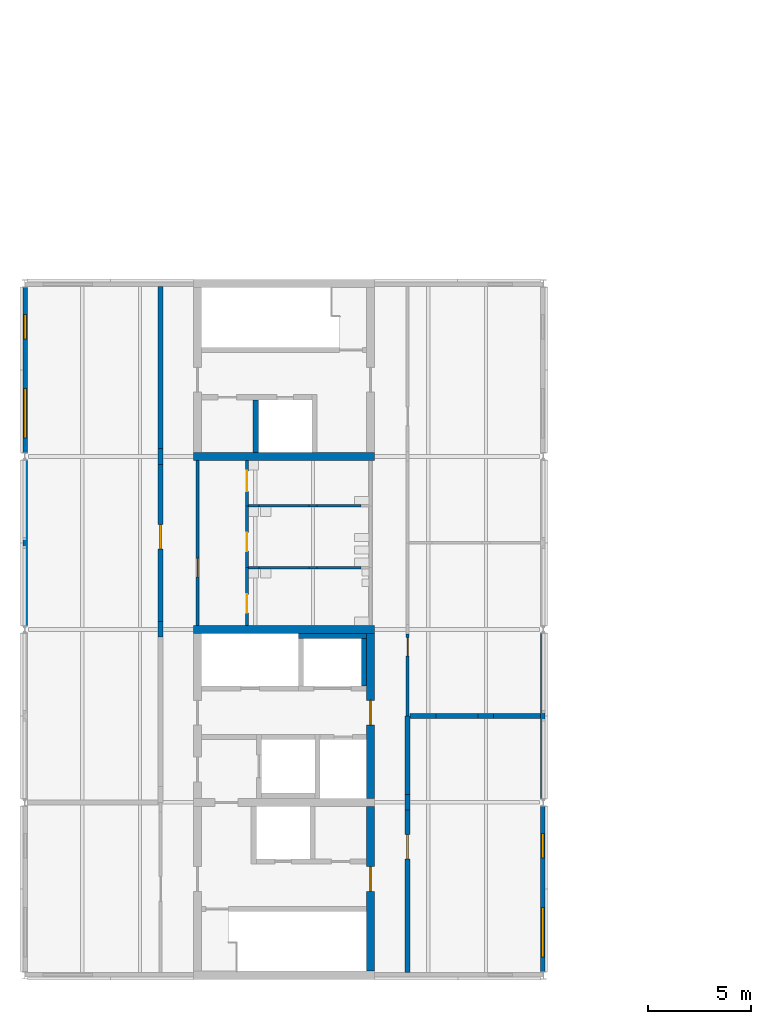
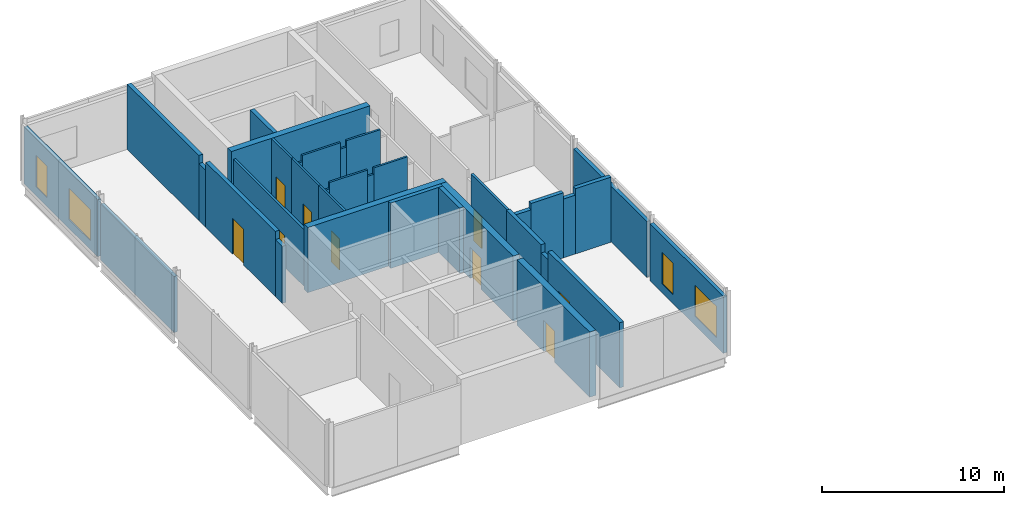
# One storey, part 14 of 26: 35 walls, 9 doors, 4 windows, 13 openings.
"""IFC4 building model written with IfcOpenShell, lengths in metres."""

from ifc_helpers import new_model, si_unit, direction, frame, frame_2d, origin, place, context, subcontext, project, spatial, rectangle, extrude, material, layer, layer_set, type_object, element, fill, save


model = new_model("IFC4")

# Units and contexts
model_context = context("Model", 3, precision=1e-05, world=origin(), true_north=direction((0.0, 1.0)))
body_context = subcontext(model_context, "Body", "Model", "MODEL_VIEW")
ifc_project = project(units=[si_unit("LENGTHUNIT", "METRE"), si_unit("AREAUNIT", "SQUARE_METRE"), si_unit("VOLUMEUNIT", "CUBIC_METRE"), si_unit("PLANEANGLEUNIT", "RADIAN"), si_unit("MASSUNIT", "GRAM", prefix="KILO")], contexts=[model_context])

# Site, building, storey
site_placement = place(None, origin())
site = spatial("IfcSite", under=ifc_project, at=site_placement, CompositionType="ELEMENT")
building_placement = place(site_placement, origin())
building = spatial("IfcBuilding", under=site, at=building_placement, Name="Hlaing Beacon Police Headquarters", CompositionType="ELEMENT")
storey_placement = place(building_placement, frame((0.0, 0.0, 23.39990234375)))
storey = spatial("IfcBuildingStorey", under=building, at=storey_placement, Name="L05", CompositionType="ELEMENT", Elevation=23.39990234375)

# Wall
ifc_material_1 = material(Name="Concrete C60/75", Category="concrete")
ifc_layer_1 = layer(ifc_material_1, 0.39990234375)
ifc_layer_set_1 = layer_set([ifc_layer_1], Name="Concrete C60/75")
wall_type_1 = type_object("IfcWallType", Name="Core shear wall 400", PredefinedType="SHEAR", material=ifc_layer_set_1)
wall_1_placement = place(storey_placement, frame((16.60009765625, 50.39990234375, 0.0), z_axis=(0.0, 0.0, 1.0), x_axis=(1.0, 0.0, 0.0)))
element("IfcWall", 1, at=wall_1_placement, inside=storey, type_object=wall_type_1, Name="Core shear wall", PredefinedType="SHEAR", context=body_context, shape_type="SweptSolid", body=[
    extrude(rectangle(XDim=8.7998046875, YDim=0.39990234375, at=frame_2d((4.39990234375, 0.0))), origin(), (0.0, 0.0, 1.0), 4.3701171875),
])

# Wall, opening, door
wall_2_placement = place(storey_placement, frame((25.199951171875, 42.199951171875, 0.0), z_axis=(0.0, 0.0, 1.0), x_axis=(0.0, 1.0, 0.0)))
wall_2 = element("IfcWall", 2, at=wall_2_placement, inside=storey, type_object=wall_type_1, Name="Core shear wall", PredefinedType="SHEAR", context=body_context, shape_type="SweptSolid", body=[
    extrude(rectangle(XDim=8.0, YDim=0.39990234375, at=frame_2d((4.0, 0.0))), origin(), (0.0, 0.0, 1.0), 4.3701171875),
])
opening_1_placement = place(wall_2_placement, frame((3.550048828125, 0.0, 0.0)))
opening_1 = element("IfcOpeningElement", 3, at=opening_1_placement, cuts=wall_2, Name="Opening L05-917", PredefinedType="OPENING", context=body_context, shape_type="SweptSolid", body=[
    extrude(rectangle(XDim=1.199951171875, YDim=2.10009765625, at=frame_2d((0.60009765625, 1.050048828125))), frame((0.0, 0.2099609375, 0.0), z_axis=(0.0, -1.0, 0.0), x_axis=(1.0, 0.0, 0.0)), (0.0, 0.0, 1.0), 0.419921875),
])
ifc_material_2 = material(Name="Steel fire door leaf", Category="steel")
ifc_layer_2 = layer(ifc_material_2, 0.070068359375)
ifc_layer_set_2 = layer_set([ifc_layer_2], Name="Steel fire door leaf")
door_type_1 = type_object("IfcDoorType", Name="Steel fire door FD60S 1200x2100", OperationType="SINGLE_SWING_LEFT", PredefinedType="DOOR", material=ifc_layer_set_2)
door_1_placement = place(opening_1_placement, origin())
door_1 = element("IfcDoor", 4, at=door_1_placement, inside=storey, type_object=door_type_1, Name="Door Lift Lobby Entry", OperationType="SINGLE_SWING_LEFT", OverallHeight=2.10009765625, OverallWidth=1.199951171875, PredefinedType="DOOR", context=body_context, shape_type="SweptSolid", body=[
    extrude(rectangle(XDim=1.199951171875, YDim=2.10009765625, at=frame_2d((0.60009765625, 1.050048828125))), frame((0.0, 0.03515625, 0.0), z_axis=(0.0, -1.0, 0.0), x_axis=(1.0, 0.0, 0.0)), (0.0, 0.0, 1.0), 0.070068359375),
])
fill(opening_1, door_1)

# Wall
wall_3_placement = place(storey_placement, frame((16.60009765625, 58.800048828125, 0.0), z_axis=(0.0, 0.0, 1.0), x_axis=(1.0, 0.0, 0.0)))
element("IfcWall", 5, at=wall_3_placement, inside=storey, type_object=wall_type_1, Name="Core shear wall", PredefinedType="SHEAR", context=body_context, shape_type="SweptSolid", body=[
    extrude(rectangle(XDim=8.7998046875, YDim=0.39990234375, at=frame_2d((4.39990234375, 0.0))), origin(), (0.0, 0.0, 1.0), 4.3701171875),
])

# Wall, opening, door
wall_4_placement = place(storey_placement, frame((25.199951171875, 33.800048828125, 0.0), z_axis=(0.0, 0.0, 1.0), x_axis=(0.0, 1.0, 0.0)))
wall_4 = element("IfcWall", 6, at=wall_4_placement, inside=storey, type_object=wall_type_1, Name="Core shear wall", PredefinedType="SHEAR", context=body_context, shape_type="SweptSolid", body=[
    extrude(rectangle(XDim=8.0, YDim=0.39990234375, at=frame_2d((4.0, 0.0))), origin(), (0.0, 0.0, 1.0), 4.3701171875),
])
opening_2_placement = place(wall_4_placement, frame((3.875, 0.0, 0.0)))
opening_2 = element("IfcOpeningElement", 7, at=opening_2_placement, cuts=wall_4, Name="Opening L05-929", PredefinedType="OPENING", context=body_context, shape_type="SweptSolid", body=[
    extrude(rectangle(XDim=1.199951171875, YDim=2.10009765625, at=frame_2d((0.60009765625, 1.050048828125))), frame((0.0, 0.2099609375, 0.0), z_axis=(0.0, -1.0, 0.0), x_axis=(1.0, 0.0, 0.0)), (0.0, 0.0, 1.0), 0.419921875),
])
door_2_placement = place(opening_2_placement, origin())
door_2 = element("IfcDoor", 8, at=door_2_placement, inside=storey, type_object=door_type_1, Name="Door Stair Lobby ST-N Entry", OperationType="SINGLE_SWING_LEFT", OverallHeight=2.10009765625, OverallWidth=1.199951171875, PredefinedType="DOOR", context=body_context, shape_type="SweptSolid", body=[
    extrude(rectangle(XDim=1.199951171875, YDim=2.10009765625, at=frame_2d((0.60009765625, 1.050048828125))), frame((0.0, 0.03515625, 0.0), z_axis=(0.0, -1.0, 0.0), x_axis=(1.0, 0.0, 0.0)), (0.0, 0.0, 1.0), 0.070068359375),
])
fill(opening_2, door_2)

ifc_material_3 = material(Name="Gypsum board partition")
ifc_layer_3 = layer(ifc_material_3, 0.14990234375)
ifc_layer_set_3 = layer_set([ifc_layer_3], Name="Gypsum board partition")
wall_type_2 = type_object("IfcWallType", Name="Corridor wall EI 30 150", PredefinedType="PARTITIONING", material=ifc_layer_set_3)
wall_5_placement = place(storey_placement, frame((27.0, 46.199951171875, 0.0), z_axis=(0.0, 0.0, 1.0), x_axis=(0.0, 1.0, 0.0)))
wall_5 = element("IfcWall", 9, at=wall_5_placement, inside=storey, type_object=wall_type_2, Name="Corridor wall EI 30 150", PredefinedType="PARTITIONING", context=body_context, shape_type="SweptSolid", body=[
    extrude(rectangle(XDim=3.969970703125, YDim=0.14990234375, at=frame_2d((1.98486328125, 0.0))), origin(), (0.0, 0.0, 1.0), 4.3701171875),
])
opening_3_placement = place(wall_5_placement, frame((2.89990234375, 0.0, 0.0)))
opening_3 = element("IfcOpeningElement", 10, at=opening_3_placement, cuts=wall_5, Name="Opening L05-011", PredefinedType="OPENING", context=body_context, shape_type="SweptSolid", body=[
    extrude(rectangle(XDim=0.89990234375, YDim=2.10009765625, at=frame_2d((0.449951171875, 1.050048828125))), frame((0.0, 0.0849609375, 0.0), z_axis=(0.0, -1.0, 0.0), x_axis=(1.0, 0.0, 0.0)), (0.0, 0.0, 1.0), 0.169921875),
])
ifc_material_4 = material(Name="Hardwood door leaf", Category="wood")
ifc_layer_4 = layer(ifc_material_4, 0.050048828125)
ifc_layer_set_4 = layer_set([ifc_layer_4], Name="Hardwood door leaf")
door_type_2 = type_object("IfcDoorType", Name="Fire door FD30S 900x2100", OperationType="SINGLE_SWING_LEFT", PredefinedType="DOOR", material=ifc_layer_set_4)
door_3_placement = place(opening_3_placement, frame((0.89990234375, 0.0, 0.0), z_axis=(0.0, 0.0, 1.0), x_axis=(-1.0, 0.0, 0.0)))
door_3 = element("IfcDoor", 11, at=door_3_placement, inside=storey, type_object=door_type_2, Name="Door Quality Management Office", OperationType="SINGLE_SWING_LEFT", OverallHeight=2.10009765625, OverallWidth=0.89990234375, PredefinedType="DOOR", context=body_context, shape_type="SweptSolid", body=[
    extrude(rectangle(XDim=0.89990234375, YDim=2.10009765625, at=frame_2d((0.449951171875, 1.050048828125))), frame((0.0, 0.025146484375, 0.0), z_axis=(0.0, -1.0, 0.0), x_axis=(1.0, 0.0, 0.0)), (0.0, 0.0, 1.0), 0.050048828125),
])
fill(opening_3, door_3)

wall_6_placement = place(storey_placement, frame((16.800048828125, 50.60009765625, 0.0), z_axis=(0.0, 0.0, 1.0), x_axis=(0.0, 1.0, 0.0)))
wall_6 = element("IfcWall", 12, at=wall_6_placement, inside=storey, type_object=wall_type_2, Name="Corridor wall EI 30 150", PredefinedType="PARTITIONING", context=body_context, shape_type="SweptSolid", body=[
    extrude(rectangle(XDim=8.0, YDim=0.14990234375, at=frame_2d((4.0, 0.0))), origin(), (0.0, 0.0, 1.0), 3.817138671875),
])
opening_4_placement = place(wall_6_placement, frame((2.35009765625, 0.0, 0.0)))
opening_4 = element("IfcOpeningElement", 13, at=opening_4_placement, cuts=wall_6, Name="Opening L05-015", PredefinedType="OPENING", context=body_context, shape_type="SweptSolid", body=[
    extrude(rectangle(XDim=0.89990234375, YDim=2.10009765625, at=frame_2d((0.449951171875, 1.050048828125))), frame((0.0, 0.0849609375, 0.0), z_axis=(0.0, -1.0, 0.0), x_axis=(1.0, 0.0, 0.0)), (0.0, 0.0, 1.0), 0.169921875),
])
door_4_placement = place(opening_4_placement, frame((0.89990234375, 0.0, 0.0), z_axis=(0.0, 0.0, 1.0), x_axis=(-1.0, 0.0, 0.0)))
door_4 = element("IfcDoor", 14, at=door_4_placement, inside=storey, type_object=door_type_2, Name="Door WC Lobby", OperationType="SINGLE_SWING_LEFT", OverallHeight=2.10009765625, OverallWidth=0.89990234375, PredefinedType="DOOR", context=body_context, shape_type="SweptSolid", body=[
    extrude(rectangle(XDim=0.89990234375, YDim=2.10009765625, at=frame_2d((0.449951171875, 1.050048828125))), frame((0.0, 0.025146484375, 0.0), z_axis=(0.0, -1.0, 0.0), x_axis=(1.0, 0.0, 0.0)), (0.0, 0.0, 1.0), 0.050048828125),
])
fill(opening_4, door_4)

# Walls
ifc_material_5 = material(Name="Gypsum board partition")
ifc_layer_5 = layer(ifc_material_5, 0.125)
ifc_layer_set_5 = layer_set([ifc_layer_5], Name="Gypsum board partition")
wall_type_3 = type_object("IfcWallType", Name="Partition 125", PredefinedType="PARTITIONING", material=ifc_layer_set_5)
wall_7_placement = place(storey_placement, frame((19.261962890625, 56.39990234375, 0.0), z_axis=(0.0, 0.0, 1.0), x_axis=(1.0, 0.0, 0.0)))
element("IfcWall", 15, at=wall_7_placement, inside=storey, type_object=wall_type_3, Name="Partition 125", PredefinedType="PARTITIONING", context=body_context, shape_type="SweptSolid", body=[
    extrude(rectangle(XDim=0.531005859375, YDim=0.125, at=frame_2d((0.265625, 0.0))), origin(), (0.0, 0.0, 1.0), 3.946044921875),
])
wall_8_placement = place(storey_placement, frame((19.79296875, 56.39990234375, 0.0), z_axis=(0.0, 0.0, 1.0), x_axis=(1.0, 0.0, 0.0)))
element("IfcWall", 16, at=wall_8_placement, inside=storey, type_object=wall_type_3, Name="Partition 125", PredefinedType="PARTITIONING", context=body_context, shape_type="SweptSolid", body=[
    extrude(rectangle(XDim=2.4140625, YDim=0.125, at=frame_2d((1.20703125, 0.0))), origin(), (0.0, 0.0, 1.0), 4.3701171875),
])
wall_9_placement = place(storey_placement, frame((22.20703125, 56.39990234375, 0.0), z_axis=(0.0, 0.0, 1.0), x_axis=(1.0, 0.0, 0.0)))
element("IfcWall", 17, at=wall_9_placement, inside=storey, type_object=wall_type_3, Name="Partition 125", PredefinedType="PARTITIONING", context=body_context, shape_type="SweptSolid", body=[
    extrude(rectangle(XDim=0.385009765625, YDim=0.125, at=frame_2d((0.1923828125, 0.0))), origin(), (0.0, 0.0, 1.0), 3.946044921875),
])
wall_10_placement = place(storey_placement, frame((22.592041015625, 56.39990234375, 0.0), z_axis=(0.0, 0.0, 1.0), x_axis=(1.0, 0.0, 0.0)))
element("IfcWall", 18, at=wall_10_placement, inside=storey, type_object=wall_type_3, Name="Partition 125", PredefinedType="PARTITIONING", context=body_context, shape_type="SweptSolid", body=[
    extrude(rectangle(XDim=2.14794921875, YDim=0.125, at=frame_2d((1.073974609375, 0.0))), origin(), (0.0, 0.0, 1.0), 4.3701171875),
])

# Wall, opening, door
wall_11_placement = place(storey_placement, frame((19.199951171875, 56.39990234375, 0.0), z_axis=(0.0, 0.0, 1.0), x_axis=(0.0, 1.0, 0.0)))
wall_11 = element("IfcWall", 19, at=wall_11_placement, inside=storey, type_object=wall_type_3, Name="Partition 125", PredefinedType="PARTITIONING", context=body_context, shape_type="SweptSolid", body=[
    extrude(rectangle(XDim=2.2001953125, YDim=0.125, at=frame_2d((1.10009765625, 0.0))), origin(), (0.0, 0.0, 1.0), 4.3701171875),
])
opening_5_placement = place(wall_11_placement, frame((0.699951171875, 0.0, 0.0)))
opening_5 = element("IfcOpeningElement", 20, at=opening_5_placement, cuts=wall_11, Name="Opening L05-013", PredefinedType="OPENING", context=body_context, shape_type="SweptSolid", body=[
    extrude(rectangle(XDim=1.0, YDim=2.10009765625, at=frame_2d((0.5, 1.050048828125))), frame((0.0, 0.072509765625, 0.0), z_axis=(0.0, -1.0, 0.0), x_axis=(1.0, 0.0, 0.0)), (0.0, 0.0, 1.0), 0.14501953125),
])
ifc_material_6 = material(Name="Hardwood door leaf", Category="wood")
ifc_layer_6 = layer(ifc_material_6, 0.0400390625)
ifc_layer_set_6 = layer_set([ifc_layer_6], Name="Hardwood door leaf")
door_type_3 = type_object("IfcDoorType", Name="Door 1000x2100", OperationType="SINGLE_SWING_LEFT", PredefinedType="DOOR", material=ifc_layer_set_6)
door_5_placement = place(opening_5_placement, frame((1.0, 0.0, 0.0), z_axis=(0.0, 0.0, 1.0), x_axis=(-1.0, 0.0, 0.0)))
door_5 = element("IfcDoor", 21, at=door_5_placement, inside=storey, type_object=door_type_3, Name="Door Accessible WC", OperationType="SINGLE_SWING_LEFT", OverallHeight=2.10009765625, OverallWidth=1.0, PredefinedType="DOOR", context=body_context, shape_type="SweptSolid", body=[
    extrude(rectangle(XDim=1.0, YDim=2.10009765625, at=frame_2d((0.5, 1.050048828125))), frame((0.0, 0.02001953125, 0.0), z_axis=(0.0, -1.0, 0.0), x_axis=(1.0, 0.0, 0.0)), (0.0, 0.0, 1.0), 0.0400390625),
])
fill(opening_5, door_5)

wall_12_placement = place(storey_placement, frame((19.199951171875, 53.39990234375, 0.0), z_axis=(0.0, 0.0, 1.0), x_axis=(0.0, 1.0, 0.0)))
wall_12 = element("IfcWall", 22, at=wall_12_placement, inside=storey, type_object=wall_type_3, Name="Partition 125", PredefinedType="PARTITIONING", context=body_context, shape_type="SweptSolid", body=[
    extrude(rectangle(XDim=3.0, YDim=0.125, at=frame_2d((1.5, 0.0))), origin(), (0.0, 0.0, 1.0), 4.3701171875),
])
opening_6_placement = place(wall_12_placement, frame((0.800048828125, 0.0, 0.0)))
opening_6 = element("IfcOpeningElement", 23, at=opening_6_placement, cuts=wall_12, Name="Opening L05-014", PredefinedType="OPENING", context=body_context, shape_type="SweptSolid", body=[
    extrude(rectangle(XDim=0.89990234375, YDim=2.10009765625, at=frame_2d((0.449951171875, 1.050048828125))), frame((0.0, 0.072509765625, 0.0), z_axis=(0.0, -1.0, 0.0), x_axis=(1.0, 0.0, 0.0)), (0.0, 0.0, 1.0), 0.14501953125),
])
ifc_material_7 = material(Name="Hardwood door leaf", Category="wood")
ifc_layer_7 = layer(ifc_material_7, 0.0400390625)
ifc_layer_set_7 = layer_set([ifc_layer_7], Name="Hardwood door leaf")
door_type_4 = type_object("IfcDoorType", Name="Door 900x2100", OperationType="SINGLE_SWING_LEFT", PredefinedType="DOOR", material=ifc_layer_set_7)
door_6_placement = place(opening_6_placement, frame((0.89990234375, 0.0, 0.0), z_axis=(0.0, 0.0, 1.0), x_axis=(-1.0, 0.0, 0.0)))
door_6 = element("IfcDoor", 24, at=door_6_placement, inside=storey, type_object=door_type_4, Name="Door Female WC", OperationType="SINGLE_SWING_LEFT", OverallHeight=2.10009765625, OverallWidth=0.89990234375, PredefinedType="DOOR", context=body_context, shape_type="SweptSolid", body=[
    extrude(rectangle(XDim=0.89990234375, YDim=2.10009765625, at=frame_2d((0.449951171875, 1.050048828125))), frame((0.0, 0.02001953125, 0.0), z_axis=(0.0, -1.0, 0.0), x_axis=(1.0, 0.0, 0.0)), (0.0, 0.0, 1.0), 0.0400390625),
])
fill(opening_6, door_6)

# Walls
wall_13_placement = place(storey_placement, frame((19.261962890625, 53.39990234375, 0.0), z_axis=(0.0, 0.0, 1.0), x_axis=(1.0, 0.0, 0.0)))
element("IfcWall", 25, at=wall_13_placement, inside=storey, type_object=wall_type_3, Name="Partition 125", PredefinedType="PARTITIONING", context=body_context, shape_type="SweptSolid", body=[
    extrude(rectangle(XDim=0.531005859375, YDim=0.125, at=frame_2d((0.265625, 0.0))), origin(), (0.0, 0.0, 1.0), 3.946044921875),
])
wall_14_placement = place(storey_placement, frame((19.79296875, 53.39990234375, 0.0), z_axis=(0.0, 0.0, 1.0), x_axis=(1.0, 0.0, 0.0)))
element("IfcWall", 26, at=wall_14_placement, inside=storey, type_object=wall_type_3, Name="Partition 125", PredefinedType="PARTITIONING", context=body_context, shape_type="SweptSolid", body=[
    extrude(rectangle(XDim=2.4140625, YDim=0.125, at=frame_2d((1.20703125, 0.0))), origin(), (0.0, 0.0, 1.0), 4.3701171875),
])
wall_15_placement = place(storey_placement, frame((22.20703125, 53.39990234375, 0.0), z_axis=(0.0, 0.0, 1.0), x_axis=(1.0, 0.0, 0.0)))
element("IfcWall", 27, at=wall_15_placement, inside=storey, type_object=wall_type_3, Name="Partition 125", PredefinedType="PARTITIONING", context=body_context, shape_type="SweptSolid", body=[
    extrude(rectangle(XDim=0.385009765625, YDim=0.125, at=frame_2d((0.1923828125, 0.0))), origin(), (0.0, 0.0, 1.0), 3.946044921875),
])
wall_16_placement = place(storey_placement, frame((22.592041015625, 53.39990234375, 0.0), z_axis=(0.0, 0.0, 1.0), x_axis=(1.0, 0.0, 0.0)))
element("IfcWall", 28, at=wall_16_placement, inside=storey, type_object=wall_type_3, Name="Partition 125", PredefinedType="PARTITIONING", context=body_context, shape_type="SweptSolid", body=[
    extrude(rectangle(XDim=2.14794921875, YDim=0.125, at=frame_2d((1.073974609375, 0.0))), origin(), (0.0, 0.0, 1.0), 4.3701171875),
])

# Wall, opening, door
wall_17_placement = place(storey_placement, frame((19.199951171875, 50.60009765625, 0.0), z_axis=(0.0, 0.0, 1.0), x_axis=(0.0, 1.0, 0.0)))
wall_17 = element("IfcWall", 29, at=wall_17_placement, inside=storey, type_object=wall_type_3, Name="Partition 125", PredefinedType="PARTITIONING", context=body_context, shape_type="SweptSolid", body=[
    extrude(rectangle(XDim=2.7998046875, YDim=0.125, at=frame_2d((1.39990234375, 0.0))), origin(), (0.0, 0.0, 1.0), 4.3701171875),
])
opening_7_placement = place(wall_17_placement, frame((0.60009765625, 0.0, 0.0)))
opening_7 = element("IfcOpeningElement", 30, at=opening_7_placement, cuts=wall_17, Name="Opening L05-016", PredefinedType="OPENING", context=body_context, shape_type="SweptSolid", body=[
    extrude(rectangle(XDim=0.89990234375, YDim=2.10009765625, at=frame_2d((0.449951171875, 1.050048828125))), frame((0.0, 0.072509765625, 0.0), z_axis=(0.0, -1.0, 0.0), x_axis=(1.0, 0.0, 0.0)), (0.0, 0.0, 1.0), 0.14501953125),
])
door_7_placement = place(opening_7_placement, frame((0.89990234375, 0.0, 0.0), z_axis=(0.0, 0.0, 1.0), x_axis=(-1.0, 0.0, 0.0)))
door_7 = element("IfcDoor", 31, at=door_7_placement, inside=storey, type_object=door_type_4, Name="Door Male WC", OperationType="SINGLE_SWING_LEFT", OverallHeight=2.10009765625, OverallWidth=0.89990234375, PredefinedType="DOOR", context=body_context, shape_type="SweptSolid", body=[
    extrude(rectangle(XDim=0.89990234375, YDim=2.10009765625, at=frame_2d((0.449951171875, 1.050048828125))), frame((0.0, 0.02001953125, 0.0), z_axis=(0.0, -1.0, 0.0), x_axis=(1.0, 0.0, 0.0)), (0.0, 0.0, 1.0), 0.0400390625),
])
fill(opening_7, door_7)

ifc_material_8 = material(Name="Concrete blockwork 7.5 N/mm2", Category="masonry")
ifc_layer_8 = layer(ifc_material_8, 0.25)
ifc_layer_set_8 = layer_set([ifc_layer_8], Name="Concrete blockwork 7.5 N/mm2")
wall_type_4 = type_object("IfcWallType", Name="Plant room wall EI 120 250", PredefinedType="PARTITIONING", material=ifc_layer_set_8)
wall_18_placement = place(storey_placement, frame((27.0, 33.75, 0.0), z_axis=(0.0, 0.0, 1.0), x_axis=(0.0, 1.0, 0.0)))
wall_18 = element("IfcWall", 32, at=wall_18_placement, inside=storey, type_object=wall_type_4, Name="Plant room wall EI 120 250", PredefinedType="PARTITIONING", context=body_context, shape_type="SweptSolid", body=[
    extrude(rectangle(XDim=7.8701171875, YDim=0.25, at=frame_2d((3.93505859375, 0.0))), origin(), (0.0, 0.0, 1.0), 4.3701171875),
])
opening_8_placement = place(wall_18_placement, frame((5.5, 0.0, 0.0)))
opening_8 = element("IfcOpeningElement", 33, at=opening_8_placement, cuts=wall_18, Name="Opening L05-010", PredefinedType="OPENING", context=body_context, shape_type="SweptSolid", body=[
    extrude(rectangle(XDim=1.199951171875, YDim=2.39990234375, at=frame_2d((0.60009765625, 1.199951171875))), frame((0.0, 0.135009765625, 0.0), z_axis=(0.0, -1.0, 0.0), x_axis=(1.0, 0.0, 0.0)), (0.0, 0.0, 1.0), 0.27001953125),
])
ifc_material_9 = material(Name="Steel fire door leaf", Category="steel")
ifc_layer_9 = layer(ifc_material_9, 0.10009765625)
ifc_layer_set_9 = layer_set([ifc_layer_9], Name="Steel fire door leaf")
door_type_5 = type_object("IfcDoorType", Name="Steel plant door FD120 1200x2400", OperationType="SINGLE_SWING_LEFT", PredefinedType="DOOR", material=ifc_layer_set_9)
door_8_placement = place(opening_8_placement, frame((1.199951171875, 0.0, 0.0), z_axis=(0.0, 0.0, 1.0), x_axis=(-1.0, 0.0, 0.0)))
door_8 = element("IfcDoor", 34, at=door_8_placement, inside=storey, type_object=door_type_5, Name="Door Fume Cupboard Plant Room", OperationType="SINGLE_SWING_RIGHT", OverallHeight=2.39990234375, OverallWidth=1.199951171875, PredefinedType="DOOR", context=body_context, shape_type="SweptSolid", body=[
    extrude(rectangle(XDim=1.199951171875, YDim=2.39990234375, at=frame_2d((0.599853515625, 1.199951171875))), frame((0.0, 0.050048828125, 0.0), z_axis=(0.0, -1.0, 0.0), x_axis=(1.0, 0.0, 0.0)), (0.0, 0.0, 1.0), 0.10009765625),
])
fill(opening_8, door_8)

# Walls
wall_19_placement = place(storey_placement, frame((27.0, 41.6201171875, 0.0), z_axis=(0.0, 0.0, 1.0), x_axis=(0.0, 1.0, 0.0)))
element("IfcWall", 35, at=wall_19_placement, inside=storey, type_object=wall_type_4, Name="Plant room wall EI 120 250", PredefinedType="PARTITIONING", context=body_context, shape_type="SweptSolid", body=[
    extrude(rectangle(XDim=0.759765625, YDim=0.25, at=frame_2d((0.3798828125, 0.0))), origin(), (0.0, 0.0, 1.0), 3.817138671875),
])
wall_20_placement = place(storey_placement, frame((27.0, 42.3798828125, 0.0), z_axis=(0.0, 0.0, 1.0), x_axis=(0.0, 1.0, 0.0)))
element("IfcWall", 36, at=wall_20_placement, inside=storey, type_object=wall_type_4, Name="Plant room wall EI 120 250", PredefinedType="PARTITIONING", context=body_context, shape_type="SweptSolid", body=[
    extrude(rectangle(XDim=3.820068359375, YDim=0.25, at=frame_2d((1.91015625, 0.0))), origin(), (0.0, 0.0, 1.0), 4.3701171875),
])
wall_21_placement = place(storey_placement, frame((15.0, 50.02001953125, 0.0), z_axis=(0.0, 0.0, 1.0), x_axis=(0.0, 1.0, 0.0)))
element("IfcWall", 37, at=wall_21_placement, inside=storey, type_object=wall_type_4, Name="Plant room wall EI 120 250", PredefinedType="PARTITIONING", context=body_context, shape_type="SweptSolid", body=[
    extrude(rectangle(XDim=0.760009765625, YDim=0.25, at=frame_2d((0.3798828125, 0.0))), origin(), (0.0, 0.0, 1.0), 3.817138671875),
])

# Wall, opening, door
wall_22_placement = place(storey_placement, frame((15.0, 50.780029296875, 0.0), z_axis=(0.0, 0.0, 1.0), x_axis=(0.0, 1.0, 0.0)))
wall_22 = element("IfcWall", 38, at=wall_22_placement, inside=storey, type_object=wall_type_4, Name="Plant room wall EI 120 250", PredefinedType="PARTITIONING", context=body_context, shape_type="SweptSolid", body=[
    extrude(rectangle(XDim=7.639892578125, YDim=0.25, at=frame_2d((3.81982421875, 0.0))), origin(), (0.0, 0.0, 1.0), 4.3701171875),
])
opening_9_placement = place(wall_22_placement, frame((3.52001953125, 0.0, 0.0)))
opening_9 = element("IfcOpeningElement", 39, at=opening_9_placement, cuts=wall_22, Name="Opening L05-018", PredefinedType="OPENING", context=body_context, shape_type="SweptSolid", body=[
    extrude(rectangle(XDim=1.199951171875, YDim=2.39990234375, at=frame_2d((0.60009765625, 1.199951171875))), frame((0.0, 0.135009765625, 0.0), z_axis=(0.0, -1.0, 0.0), x_axis=(1.0, 0.0, 0.0)), (0.0, 0.0, 1.0), 0.27001953125),
])
door_9_placement = place(opening_9_placement, origin())
door_9 = element("IfcDoor", 40, at=door_9_placement, inside=storey, type_object=door_type_5, Name="Door Laboratory Plant Room", OperationType="SINGLE_SWING_RIGHT", OverallHeight=2.39990234375, OverallWidth=1.199951171875, PredefinedType="DOOR", context=body_context, shape_type="SweptSolid", body=[
    extrude(rectangle(XDim=1.199951171875, YDim=2.39990234375, at=frame_2d((0.60009765625, 1.199951171875))), frame((0.0, 0.050048828125, 0.0), z_axis=(0.0, -1.0, 0.0), x_axis=(1.0, 0.0, 0.0)), (0.0, 0.0, 1.0), 0.10009765625),
])
fill(opening_9, door_9)

# Walls
wall_23_placement = place(storey_placement, frame((15.0, 58.419921875, 0.0), z_axis=(0.0, 0.0, 1.0), x_axis=(0.0, 1.0, 0.0)))
element("IfcWall", 41, at=wall_23_placement, inside=storey, type_object=wall_type_4, Name="Plant room wall EI 120 250", PredefinedType="PARTITIONING", context=body_context, shape_type="SweptSolid", body=[
    extrude(rectangle(XDim=0.760009765625, YDim=0.25, at=frame_2d((0.3798828125, 0.0))), origin(), (0.0, 0.0, 1.0), 3.817138671875),
])
wall_24_placement = place(storey_placement, frame((15.0, 59.179931640625, 0.0), z_axis=(0.0, 0.0, 1.0), x_axis=(0.0, 1.0, 0.0)))
element("IfcWall", 42, at=wall_24_placement, inside=storey, type_object=wall_type_4, Name="Plant room wall EI 120 250", PredefinedType="PARTITIONING", context=body_context, shape_type="SweptSolid", body=[
    extrude(rectangle(XDim=7.8701171875, YDim=0.25, at=frame_2d((3.93505859375, 0.0))), origin(), (0.0, 0.0, 1.0), 4.3701171875),
])
wall_25_placement = place(storey_placement, frame((27.125, 46.199951171875, 0.0), z_axis=(0.0, 0.0, 1.0), x_axis=(1.0, 0.0, 0.0)))
element("IfcWall", 43, at=wall_25_placement, inside=storey, type_object=wall_type_4, Name="Plant room wall EI 120 250", PredefinedType="PARTITIONING", context=body_context, shape_type="SweptSolid", body=[
    extrude(rectangle(XDim=1.2548828125, YDim=0.25, at=frame_2d((0.62744140625, 0.0))), origin(), (0.0, 0.0, 1.0), 3.946044921875),
])
wall_26_placement = place(storey_placement, frame((28.3798828125, 46.199951171875, 0.0), z_axis=(0.0, 0.0, 1.0), x_axis=(1.0, 0.0, 0.0)))
element("IfcWall", 44, at=wall_26_placement, inside=storey, type_object=wall_type_4, Name="Plant room wall EI 120 250", PredefinedType="PARTITIONING", context=body_context, shape_type="SweptSolid", body=[
    extrude(rectangle(XDim=2.0400390625, YDim=0.25, at=frame_2d((1.02001953125, 0.0))), origin(), (0.0, 0.0, 1.0), 4.3701171875),
])
wall_27_placement = place(storey_placement, frame((30.419921875, 46.199951171875, 0.0), z_axis=(0.0, 0.0, 1.0), x_axis=(1.0, 0.0, 0.0)))
element("IfcWall", 45, at=wall_27_placement, inside=storey, type_object=wall_type_4, Name="Plant room wall EI 120 250", PredefinedType="PARTITIONING", context=body_context, shape_type="SweptSolid", body=[
    extrude(rectangle(XDim=0.760009765625, YDim=0.25, at=frame_2d((0.3798828125, 0.0))), origin(), (0.0, 0.0, 1.0), 3.946044921875),
])
wall_28_placement = place(storey_placement, frame((31.179931640625, 46.199951171875, 0.0), z_axis=(0.0, 0.0, 1.0), x_axis=(1.0, 0.0, 0.0)))
element("IfcWall", 46, at=wall_28_placement, inside=storey, type_object=wall_type_4, Name="Plant room wall EI 120 250", PredefinedType="PARTITIONING", context=body_context, shape_type="SweptSolid", body=[
    extrude(rectangle(XDim=2.27001953125, YDim=0.25, at=frame_2d((1.135009765625, 0.0))), origin(), (0.0, 0.0, 1.0), 4.3701171875),
])

# Wall, openings, windows
ifc_material_10 = material(Name="Fibre cement ribbed cladding on insulated frame")
ifc_layer_10 = layer(ifc_material_10, 0.22509765625)
ifc_layer_set_10 = layer_set([ifc_layer_10], Name="Fibre cement ribbed cladding on insulated frame")
wall_type_5 = type_object("IfcWallType", Name="Ribbed fibre-cement clad wall 225", PredefinedType="SOLIDWALL", material=ifc_layer_set_10)
wall_29_placement = place(storey_placement, frame((33.5625, 33.77001953125, 0.0), z_axis=(0.0, 0.0, 1.0), x_axis=(0.0, 1.0, 0.0)))
wall_29 = element("IfcWall", 47, at=wall_29_placement, inside=storey, type_object=wall_type_5, Name="External wall L05 E003", PredefinedType="SOLIDWALL", context=body_context, shape_type="SweptSolid", body=[
    extrude(rectangle(XDim=8.06005859375, YDim=0.22509765625, at=frame_2d((4.030029296875, 0.0))), origin(), (0.0, 0.0, 1.0), 3.819091796875),
])
opening_10_placement = place(wall_29_placement, frame((0.72998046875, 0.0, 0.60009765625)))
opening_10 = element("IfcOpeningElement", 48, at=opening_10_placement, cuts=wall_29, Name="Opening WN8", PredefinedType="OPENING", context=body_context, shape_type="SweptSolid", body=[
    extrude(rectangle(XDim=2.39990234375, YDim=2.10009765625, at=frame_2d((1.199951171875, 1.050048828125))), frame((0.0, 0.12255859375, 0.0), z_axis=(0.0, -1.0, 0.0), x_axis=(1.0, 0.0, 0.0)), (0.0, 0.0, 1.0), 0.2451171875),
])
opening_11_placement = place(wall_29_placement, frame((5.530029296875, 0.0, 0.60009765625)))
opening_11 = element("IfcOpeningElement", 49, at=opening_11_placement, cuts=wall_29, Name="Opening WN35", PredefinedType="OPENING", context=body_context, shape_type="SweptSolid", body=[
    extrude(rectangle(XDim=1.199951171875, YDim=2.10009765625, at=frame_2d((0.60009765625, 1.050048828125))), frame((0.0, 0.12255859375, 0.0), z_axis=(0.0, -1.0, 0.0), x_axis=(1.0, 0.0, 0.0)), (0.0, 0.0, 1.0), 0.2451171875),
])
ifc_material_11 = material(Name="Aluminium louvre blades", Category="aluminium")
window_type_1 = type_object("IfcWindowType", Name="Louvred bay 1200 1200x2100 frame 120", PartitioningType="SINGLE_PANEL", PredefinedType="WINDOW", material=ifc_material_11)
window_1_placement = place(opening_11_placement, origin())
window_1 = element("IfcWindow", 50, at=window_1_placement, inside=storey, type_object=window_type_1, Name="Louvre L05 WL2", OverallHeight=2.10009765625, OverallWidth=1.199951171875, PartitioningType="SINGLE_PANEL", PredefinedType="WINDOW", context=body_context, shape_type="SweptSolid", body=[
    extrude(rectangle(XDim=1.199951171875, YDim=2.10009765625, at=frame_2d((0.60009765625, 1.050048828125))), frame((0.0, 0.06005859375, 0.0), z_axis=(0.0, -1.0, 0.0), x_axis=(1.0, 0.0, 0.0)), (0.0, 0.0, 1.0), 0.1201171875),
])
fill(opening_11, window_1)
ifc_material_12 = material(Name="Aluminium louvre blades", Category="aluminium")
window_type_2 = type_object("IfcWindowType", Name="Louvred bay 2400 2400x2100 frame 120", PartitioningType="SINGLE_PANEL", PredefinedType="WINDOW", material=ifc_material_12)
window_2_placement = place(opening_10_placement, origin())
window_2 = element("IfcWindow", 51, at=window_2_placement, inside=storey, type_object=window_type_2, Name="Louvre L05 WL3", OverallHeight=2.10009765625, OverallWidth=2.39990234375, PartitioningType="SINGLE_PANEL", PredefinedType="WINDOW", context=body_context, shape_type="SweptSolid", body=[
    extrude(rectangle(XDim=2.39990234375, YDim=2.10009765625, at=frame_2d((1.199951171875, 1.050048828125))), frame((0.0, 0.06005859375, 0.0), z_axis=(0.0, -1.0, 0.0), x_axis=(1.0, 0.0, 0.0)), (0.0, 0.0, 1.0), 0.1201171875),
])
fill(opening_10, window_2)

# Wall
wall_30_placement = place(storey_placement, frame((33.5625, 42.169921875, 0.0), z_axis=(0.0, 0.0, 1.0), x_axis=(0.0, 1.0, 0.0)))
element("IfcWall", 52, at=wall_30_placement, inside=storey, type_object=wall_type_5, Name="External wall L05 E004", PredefinedType="SOLIDWALL", context=body_context, shape_type="SweptSolid", body=[
    extrude(rectangle(XDim=8.06005859375, YDim=0.22509765625, at=frame_2d((4.030029296875, 0.0))), origin(), (0.0, 0.0, 1.0), 3.74609375),
])

# Wall, openings, windows
wall_31_placement = place(storey_placement, frame((8.4375, 67.02978515625, 0.0), z_axis=(0.0, 0.0, 1.0), x_axis=(0.0, -1.0, 0.0)))
wall_31 = element("IfcWall", 53, at=wall_31_placement, inside=storey, type_object=wall_type_5, Name="External wall L05 W009", PredefinedType="SOLIDWALL", context=body_context, shape_type="SweptSolid", body=[
    extrude(rectangle(XDim=8.059814453125, YDim=0.22509765625, at=frame_2d((4.02978515625, 0.0))), origin(), (0.0, 0.0, 1.0), 3.819091796875),
])
opening_12_placement = place(wall_31_placement, frame((1.32958984375, 0.0, 0.60009765625)))
opening_12 = element("IfcOpeningElement", 54, at=opening_12_placement, cuts=wall_31, Name="Opening WN35", PredefinedType="OPENING", context=body_context, shape_type="SweptSolid", body=[
    extrude(rectangle(XDim=1.199951171875, YDim=2.10009765625, at=frame_2d((0.60009765625, 1.050048828125))), frame((0.0, 0.12255859375, 0.0), z_axis=(0.0, -1.0, 0.0), x_axis=(1.0, 0.0, 0.0)), (0.0, 0.0, 1.0), 0.2451171875),
])
opening_13_placement = place(wall_31_placement, frame((4.9296875, 0.0, 0.60009765625)))
opening_13 = element("IfcOpeningElement", 55, at=opening_13_placement, cuts=wall_31, Name="Opening WN8", PredefinedType="OPENING", context=body_context, shape_type="SweptSolid", body=[
    extrude(rectangle(XDim=2.39990234375, YDim=2.10009765625, at=frame_2d((1.199951171875, 1.050048828125))), frame((0.0, 0.12255859375, 0.0), z_axis=(0.0, -1.0, 0.0), x_axis=(1.0, 0.0, 0.0)), (0.0, 0.0, 1.0), 0.2451171875),
])
window_3_placement = place(opening_12_placement, origin())
window_3 = element("IfcWindow", 56, at=window_3_placement, inside=storey, type_object=window_type_1, Name="Louvre L05 WL2", OverallHeight=2.10009765625, OverallWidth=1.199951171875, PartitioningType="SINGLE_PANEL", PredefinedType="WINDOW", context=body_context, shape_type="SweptSolid", body=[
    extrude(rectangle(XDim=1.199951171875, YDim=2.10009765625, at=frame_2d((0.60009765625, 1.050048828125))), frame((0.0, 0.06005859375, 0.0), z_axis=(0.0, -1.0, 0.0), x_axis=(1.0, 0.0, 0.0)), (0.0, 0.0, 1.0), 0.1201171875),
])
fill(opening_12, window_3)
window_4_placement = place(opening_13_placement, origin())
window_4 = element("IfcWindow", 57, at=window_4_placement, inside=storey, type_object=window_type_2, Name="Louvre L05 WL3", OverallHeight=2.10009765625, OverallWidth=2.39990234375, PartitioningType="SINGLE_PANEL", PredefinedType="WINDOW", context=body_context, shape_type="SweptSolid", body=[
    extrude(rectangle(XDim=2.39990234375, YDim=2.10009765625, at=frame_2d((1.199951171875, 1.050048828125))), frame((0.0, 0.06005859375, 0.0), z_axis=(0.0, -1.0, 0.0), x_axis=(1.0, 0.0, 0.0)), (0.0, 0.0, 1.0), 0.1201171875),
])
fill(opening_13, window_4)

# Walls
wall_32_placement = place(storey_placement, frame((8.4375, 58.6298828125, 0.0), z_axis=(0.0, 0.0, 1.0), x_axis=(0.0, -1.0, 0.0)))
element("IfcWall", 58, at=wall_32_placement, inside=storey, type_object=wall_type_5, Name="External wall L05 W010", PredefinedType="SOLIDWALL", context=body_context, shape_type="SweptSolid", body=[
    extrude(rectangle(XDim=8.059814453125, YDim=0.22509765625, at=frame_2d((4.02978515625, 0.0))), origin(), (0.0, 0.0, 1.0), 3.74609375),
])
ifc_material_13 = material(Name="Concrete C40/50", Category="concrete")
ifc_layer_11 = layer(ifc_material_13, 0.25)
ifc_layer_set_11 = layer_set([ifc_layer_11], Name="Concrete C40/50")
wall_type_6 = type_object("IfcWallType", Name="Shaft wall 250", PredefinedType="SOLIDWALL", material=ifc_layer_set_11)
wall_33_placement = place(storey_placement, frame((19.625, 61.550048828125, 0.0), z_axis=(0.0, 0.0, 1.0), x_axis=(0.0, -1.0, 0.0)))
element("IfcWall", 59, at=wall_33_placement, inside=storey, type_object=wall_type_6, Name="Riser wall", PredefinedType="SOLIDWALL", context=body_context, shape_type="SweptSolid", body=[
    extrude(rectangle(XDim=2.550048828125, YDim=0.25, at=frame_2d((1.27490234375, 0.0))), origin(), (0.0, 0.0, 1.0), 4.3701171875),
])
wall_34_placement = place(storey_placement, frame((24.875, 47.64990234375, 0.0), z_axis=(0.0, 0.0, 1.0), x_axis=(0.0, 1.0, 0.0)))
element("IfcWall", 60, at=wall_34_placement, inside=storey, type_object=wall_type_6, Name="Lift shaft wall EL1", PredefinedType="SOLIDWALL", context=body_context, shape_type="SweptSolid", body=[
    extrude(rectangle(XDim=2.300048828125, YDim=0.25, at=frame_2d((1.14990234375, 0.0))), origin(), (0.0, 0.0, 1.0), 4.3701171875),
])
wall_35_placement = place(storey_placement, frame((21.699951171875, 50.074951171875, 0.0), z_axis=(0.0, 0.0, 1.0), x_axis=(1.0, 0.0, 0.0)))
element("IfcWall", 61, at=wall_35_placement, inside=storey, type_object=wall_type_6, Name="Lift shaft wall EL1", PredefinedType="SOLIDWALL", context=body_context, shape_type="SweptSolid", body=[
    extrude(rectangle(XDim=3.300048828125, YDim=0.25, at=frame_2d((1.64990234375, 0.0))), origin(), (0.0, 0.0, 1.0), 4.3701171875),
])

save(model, "model.ifc")
